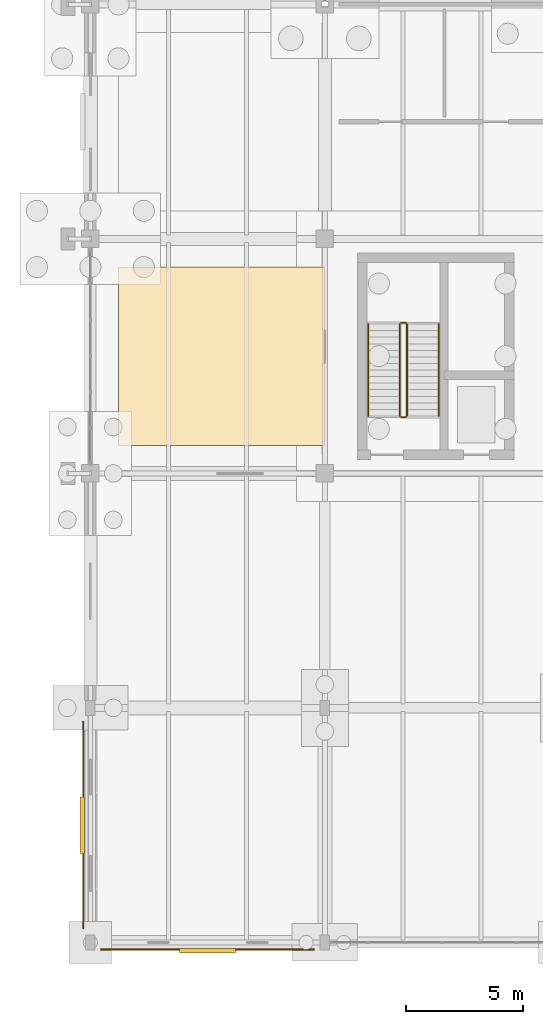
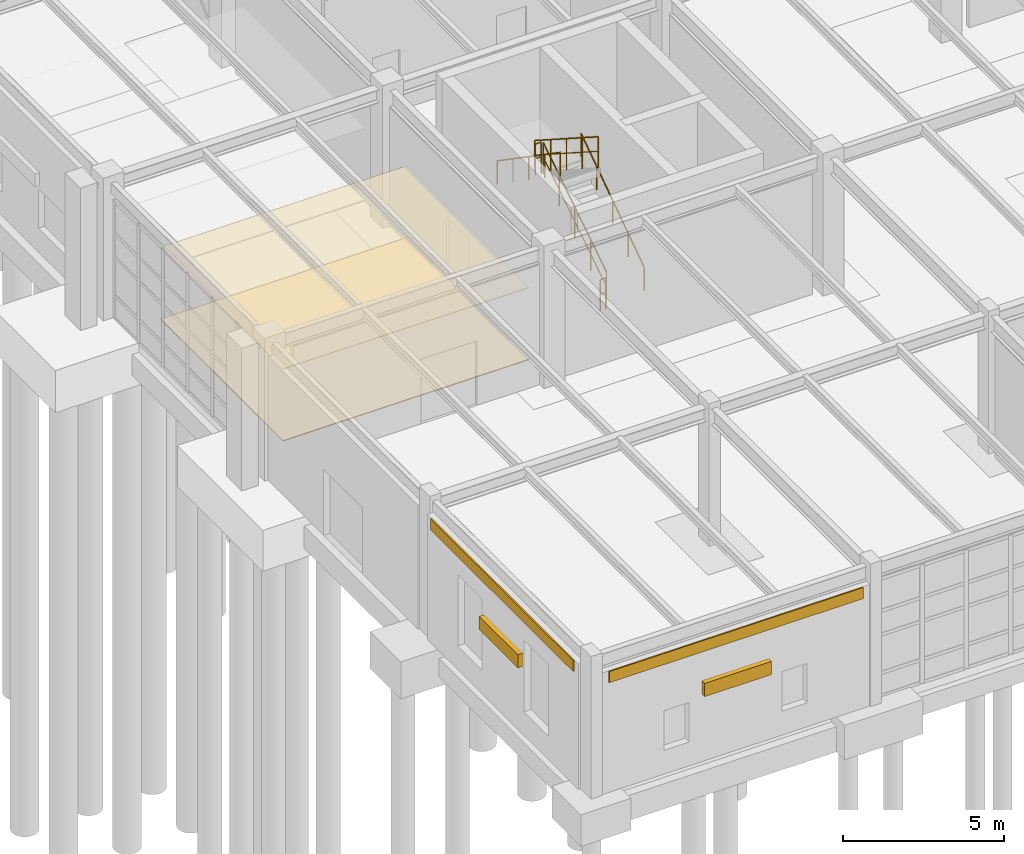
# One storey, part 130 of 145: 6 railings, 4 coverings, 2 shading devices.
"""IFC4 building model written with IfcOpenShell, lengths in metres."""

from ifc_helpers import new_model, si_unit, direction, frame, origin, origin_2d, place, context, subcontext, project, spatial, polyline, rectangle, circle, outline, extrude, material, layer, layer_set, type_object, element, save


model = new_model("IFC4")

# Units and contexts
model_context = context("Model", 3, precision=1e-05, world=origin(), true_north=direction((0.0, 1.0)))
body_context = subcontext(model_context, "Body", "Model", "MODEL_VIEW")
ifc_project = project(units=[si_unit("LENGTHUNIT", "METRE"), si_unit("AREAUNIT", "SQUARE_METRE"), si_unit("VOLUMEUNIT", "CUBIC_METRE"), si_unit("PLANEANGLEUNIT", "RADIAN"), si_unit("MASSUNIT", "GRAM", prefix="KILO"), si_unit("THERMODYNAMICTEMPERATUREUNIT", "KELVIN"), si_unit("POWERUNIT", "WATT")], contexts=[model_context])

# Site, building, storey
site_placement = place(None, origin())
site = spatial("IfcSite", under=ifc_project, at=site_placement, CompositionType="ELEMENT")
building_placement = place(site_placement, origin())
building = spatial("IfcBuilding", under=site, at=building_placement, Name="Korenveer Ferry Terminal", CompositionType="ELEMENT")
storey_placement = place(building_placement, origin())
storey = spatial("IfcBuildingStorey", under=building, at=storey_placement, Name="L00", CompositionType="ELEMENT", Elevation=0.0)

# Coverings
ifc_material_1 = material(Name="Carved Belgian bluestone spandrel cladding", Category="masonry")
ifc_layer_1 = layer(ifc_material_1, 0.050048828125)
ifc_layer_set_1 = layer_set([ifc_layer_1], Name="Carved Belgian bluestone spandrel cladding")
covering_type_1 = type_object("IfcCoveringType", Name="ENV-COV-STONE", PredefinedType="CLADDING", material=ifc_layer_set_1)
covering_1_placement = place(storey_placement, frame((0.0, 0.0, 4.179931640625)))
element("IfcCovering", 1, at=covering_1_placement, inside=storey, type_object=covering_type_1, Name="Belgian bluestone spandrel band 1", PredefinedType="CLADDING", context=body_context, shape_type="SweptSolid", body=[
    extrude(outline(polyline([(0.449951171875, -0.324951171875), (9.550048828125, -0.324951171875), (9.550048828125, -0.27490234375), (0.449951171875, -0.27490234375), (0.449951171875, -0.324951171875)])), origin(), (0.0, 0.0, 1.0), 0.420166015625),
])
covering_2_placement = place(storey_placement, frame((0.0, 0.0, 4.330078125)))
element("IfcCovering", 2, at=covering_2_placement, inside=storey, type_object=covering_type_1, Name="Belgian bluestone spandrel band 8", PredefinedType="CLADDING", context=body_context, shape_type="SweptSolid", body=[
    extrude(outline(polyline([(-0.324951171875, 0.574951171875), (-0.27490234375, 0.574951171875), (-0.27490234375, 9.425048828125), (-0.324951171875, 9.425048828125), (-0.324951171875, 0.574951171875)])), origin(), (0.0, 0.0, 1.0), 0.419921875),
])

# Shading devices
ifc_material_2 = material(Name="Anodised bronze aluminium acoustic louvre", Category="aluminium")
shading_device_type = type_object("IfcShadingDeviceType", Name="ENV-SHD-LVR", PredefinedType="SHUTTER", material=ifc_material_2)
for number, where, z_axis, x_axis, name in (
    (3, (5.0, -0.35009765625, 2.550048828125), (0.0, 0.0, 1.0), (1.0, 0.0, 0.0), "Plant facade intake louvre 1"),
    (4, (-0.35009765625, 5.0, 2.550048828125), (0.0, 0.0, 1.0), (0.0, 1.0, 0.0), "Plant facade intake louvre 2"),
):
    element("IfcShadingDevice", number, at=place(storey_placement, frame(where, z_axis=z_axis, x_axis=x_axis)), inside=storey, type_object=shading_device_type, Name=name, PredefinedType="SHUTTER", context=body_context, shape_type="SweptSolid", body=[
        extrude(rectangle(XDim=2.39990234375, YDim=0.179931640625, at=origin_2d()), origin(), (0.0, 0.0, 1.0), 0.5),
    ])

# Coverings
ifc_material_3 = material(Name="Mineral acoustic ceiling board", Category="other")
ifc_layer_2 = layer(ifc_material_3, 0.02490234375)
ifc_layer_set_2 = layer_set([ifc_layer_2], Name="Mineral acoustic ceiling board")
covering_type_2 = type_object("IfcCoveringType", Name="INT-COV-CEIL", PredefinedType="CEILING", material=ifc_layer_set_2)
covering_3_placement = place(storey_placement, frame((0.0, 0.0, 2.72509765625)))
element("IfcCovering", 5, at=covering_3_placement, inside=storey, type_object=covering_type_2, Name="Acoustic room ceiling 1", PredefinedType="CEILING", context=body_context, shape_type="SweptSolid", body=[
    extrude(outline(polyline([(1.199951171875, 21.199951171875), (10.0, 21.199951171875), (10.0, 28.800048828125), (1.199951171875, 28.800048828125), (1.199951171875, 21.199951171875)])), origin(), (0.0, 0.0, 1.0), 0.02490234375),
])
ifc_material_4 = material(Name="Polished terrazzo tile finish", Category="masonry")
ifc_layer_3 = layer(ifc_material_4, 0.030029296875)
ifc_layer_set_3 = layer_set([ifc_layer_3], Name="Polished terrazzo tile finish")
covering_type_3 = type_object("IfcCoveringType", Name="INT-COV-FLR", PredefinedType="FLOORING", material=ifc_layer_set_3)
covering_4_placement = place(storey_placement, origin())
element("IfcCovering", 6, at=covering_4_placement, inside=storey, type_object=covering_type_3, Name="Terrazzo floor finish 1", PredefinedType="FLOORING", context=body_context, shape_type="SweptSolid", body=[
    extrude(outline(polyline([(1.199951171875, 21.199951171875), (10.0, 21.199951171875), (10.0, 28.800048828125), (1.199951171875, 28.800048828125), (1.199951171875, 21.199951171875)])), origin(), (0.0, 0.0, 1.0), 0.030029296875),
])

# Railings
ifc_material_5 = material(Name="Brushed stainless steel handrail", Category="steel")
railing_type_1 = type_object("IfcRailingType", Name="INT-RL-HND90", PredefinedType="HANDRAIL", material=ifc_material_5)
railing_1_placement = place(storey_placement, frame((14.85009765625, 22.449951171875, 0.179931640625)))
element("IfcRailing", 7, at=railing_1_placement, inside=storey, type_object=railing_type_1, Name="L00 ST01 stair handrail 1", PredefinedType="HANDRAIL", context=body_context, shape_type="SweptSolid", body=[
    extrude(circle(Radius=0.02392578125, at=origin_2d()), frame((0.0, 0.0, 0.8759765625), z_axis=(0.0, 0.823567234665, 0.567218661528), x_axis=(-1.0, 0.0, 0.0)), (0.0, 0.0, 1.0), 4.760009765625),
    extrude(circle(Radius=0.02099609375, at=origin_2d()), origin(), (0.0, 0.0, 1.0), 0.851806640625),
    extrude(circle(Radius=0.02099609375, at=origin_2d()), frame((0.0, 0.97998046875, 0.675048828125)), (0.0, 0.0, 1.0), 0.851806640625),
    extrude(circle(Radius=0.02099609375, at=origin_2d()), frame((0.0, 1.9599609375, 1.35009765625)), (0.0, 0.0, 1.0), 0.851806640625),
    extrude(circle(Radius=0.02099609375, at=origin_2d()), frame((0.0, 2.940185546875, 2.02490234375)), (0.0, 0.0, 1.0), 0.851806640625),
    extrude(circle(Radius=0.02099609375, at=origin_2d()), frame((0.0, 3.920166015625, 2.699951171875)), (0.0, 0.0, 1.0), 0.851806640625),
])
railing_2_placement = place(storey_placement, frame((11.85009765625, 26.3701171875, 2.8798828125)))
element("IfcRailing", 8, at=railing_2_placement, inside=storey, type_object=railing_type_1, Name="L00 ST01 stair handrail 2", PredefinedType="HANDRAIL", context=body_context, shape_type="SweptSolid", body=[
    extrude(circle(Radius=0.02392578125, at=origin_2d()), frame((0.0, 0.0, 0.8759765625), z_axis=(0.0, -0.82354327477, 0.567253448276), x_axis=(1.0, 0.0, 0.0)), (0.0, 0.0, 1.0), 4.760009765625),
    extrude(circle(Radius=0.02099609375, at=origin_2d()), origin(), (0.0, 0.0, 1.0), 0.851806640625),
    extrude(circle(Radius=0.02099609375, at=origin_2d()), frame((0.0, -0.97998046875, 0.675048828125)), (0.0, 0.0, 1.0), 0.851806640625),
    extrude(circle(Radius=0.02099609375, at=origin_2d()), frame((0.0, -1.9599609375, 1.35009765625)), (0.0, 0.0, 1.0), 0.851806640625),
    extrude(circle(Radius=0.02099609375, at=origin_2d()), frame((0.0, -2.940185546875, 2.025146484375)), (0.0, 0.0, 1.0), 0.851806640625),
    extrude(circle(Radius=0.02099609375, at=origin_2d()), frame((0.0, -3.920166015625, 2.7001953125)), (0.0, 0.0, 1.0), 0.851806640625),
])
ifc_material_6 = material(Name="Painted steel stair guard", Category="steel")
railing_type_2 = type_object("IfcRailingType", Name="INT-RL-STGRD", PredefinedType="GUARDRAIL", material=ifc_material_6)
railing_3_placement = place(storey_placement, frame((13.5, 22.449951171875, 0.179931640625)))
element("IfcRailing", 9, at=railing_3_placement, inside=storey, type_object=railing_type_2, Name="L00 ST01 stair guard 1", PredefinedType="GUARDRAIL", context=body_context, shape_type="SweptSolid", body=[
    extrude(circle(Radius=0.02392578125, at=origin_2d()), frame((0.0, 0.0, 1.17578125), z_axis=(0.0, 0.841186985886, 0.540744352514), x_axis=(-1.0, 0.0, 0.0)), (0.0, 0.0, 1.0), 4.660400390625),
    extrude(circle(Radius=0.01806640625, at=origin_2d()), frame((0.0, 0.0, 0.6240234375), z_axis=(0.0, 0.841186985886, 0.540744352514), x_axis=(-1.0, 0.0, 0.0)), (0.0, 0.0, 1.0), 4.660400390625),
    extrude(circle(Radius=0.02099609375, at=origin_2d()), origin(), (0.0, 0.0, 1.0), 1.15185546875),
    extrude(circle(Radius=0.02099609375, at=origin_2d()), frame((0.0, 0.97998046875, 0.6298828125)), (0.0, 0.0, 1.0), 1.15185546875),
    extrude(circle(Radius=0.02099609375, at=origin_2d()), frame((0.0, 1.9599609375, 1.260009765625)), (0.0, 0.0, 1.0), 1.15185546875),
    extrude(circle(Radius=0.02099609375, at=origin_2d()), frame((0.0, 2.940185546875, 1.89013671875)), (0.0, 0.0, 1.0), 1.15185546875),
    extrude(circle(Radius=0.02099609375, at=origin_2d()), frame((0.0, 3.920166015625, 2.52001953125)), (0.0, 0.0, 1.0), 1.15185546875),
])
railing_4_placement = place(storey_placement, frame((13.449951171875, 26.419921875, 2.699951171875)))
element("IfcRailing", 10, at=railing_4_placement, inside=storey, type_object=railing_type_2, Name="L00 ST01 stair guard 2", PredefinedType="GUARDRAIL", context=body_context, shape_type="SweptSolid", body=[
    extrude(circle(Radius=0.02392578125, at=origin_2d()), frame((0.0, 0.0, 1.17578125), z_axis=(-1.0, 0.0, 0.0), x_axis=(0.0, -1.0, 0.0)), (0.0, 0.0, 1.0), 0.199951171875),
    extrude(circle(Radius=0.01806640625, at=origin_2d()), frame((0.0, 0.0, 0.6240234375), z_axis=(-1.0, 0.0, 0.0), x_axis=(0.0, -1.0, 0.0)), (0.0, 0.0, 1.0), 0.199951171875),
    extrude(circle(Radius=0.02099609375, at=origin_2d()), origin(), (0.0, 0.0, 1.0), 1.15185546875),
    extrude(circle(Radius=0.02099609375, at=origin_2d()), frame((-0.199951171875, 0.0, 0.0)), (0.0, 0.0, 1.0), 1.15185546875),
])
railing_5_placement = place(storey_placement, frame((13.199951171875, 26.3701171875, 2.8798828125)))
element("IfcRailing", 11, at=railing_5_placement, inside=storey, type_object=railing_type_2, Name="L00 ST01 stair guard 3", PredefinedType="GUARDRAIL", context=body_context, shape_type="SweptSolid", body=[
    extrude(circle(Radius=0.02392578125, at=origin_2d()), frame((0.0, 0.0, 1.17578125), z_axis=(0.0, -0.841186985886, 0.540744352514), x_axis=(1.0, 0.0, 0.0)), (0.0, 0.0, 1.0), 4.660400390625),
    extrude(circle(Radius=0.01806640625, at=origin_2d()), frame((0.0, 0.0, 0.6240234375), z_axis=(0.0, -0.841186985886, 0.540744352514), x_axis=(1.0, 0.0, 0.0)), (0.0, 0.0, 1.0), 4.660400390625),
    extrude(circle(Radius=0.02099609375, at=origin_2d()), origin(), (0.0, 0.0, 1.0), 1.15185546875),
    extrude(circle(Radius=0.02099609375, at=origin_2d()), frame((0.0, -0.97998046875, 0.6298828125)), (0.0, 0.0, 1.0), 1.15185546875),
    extrude(circle(Radius=0.02099609375, at=origin_2d()), frame((0.0, -1.9599609375, 1.260009765625)), (0.0, 0.0, 1.0), 1.15185546875),
    extrude(circle(Radius=0.02099609375, at=origin_2d()), frame((0.0, -2.940185546875, 1.89013671875)), (0.0, 0.0, 1.0), 1.15185546875),
    extrude(circle(Radius=0.02099609375, at=origin_2d()), frame((0.0, -3.920166015625, 2.52001953125)), (0.0, 0.0, 1.0), 1.15185546875),
])
railing_6_placement = place(storey_placement, frame((13.449951171875, 22.39990234375, 0.0)))
element("IfcRailing", 12, at=railing_6_placement, inside=storey, type_object=railing_type_2, Name="L00 ST01 stair guard 4", PredefinedType="GUARDRAIL", context=body_context, shape_type="SweptSolid", body=[
    extrude(circle(Radius=0.02392578125, at=origin_2d()), frame((0.0, 0.0, 1.17578125), z_axis=(-1.0, 0.0, 0.0), x_axis=(0.0, -1.0, 0.0)), (0.0, 0.0, 1.0), 0.199951171875),
    extrude(circle(Radius=0.01806640625, at=origin_2d()), frame((0.0, 0.0, 0.6240234375), z_axis=(-1.0, 0.0, 0.0), x_axis=(0.0, -1.0, 0.0)), (0.0, 0.0, 1.0), 0.199951171875),
    extrude(circle(Radius=0.02099609375, at=origin_2d()), origin(), (0.0, 0.0, 1.0), 1.15185546875),
    extrude(circle(Radius=0.02099609375, at=origin_2d()), frame((-0.199951171875, 0.0, 0.0)), (0.0, 0.0, 1.0), 1.15185546875),
])

save(model, "model.ifc")
